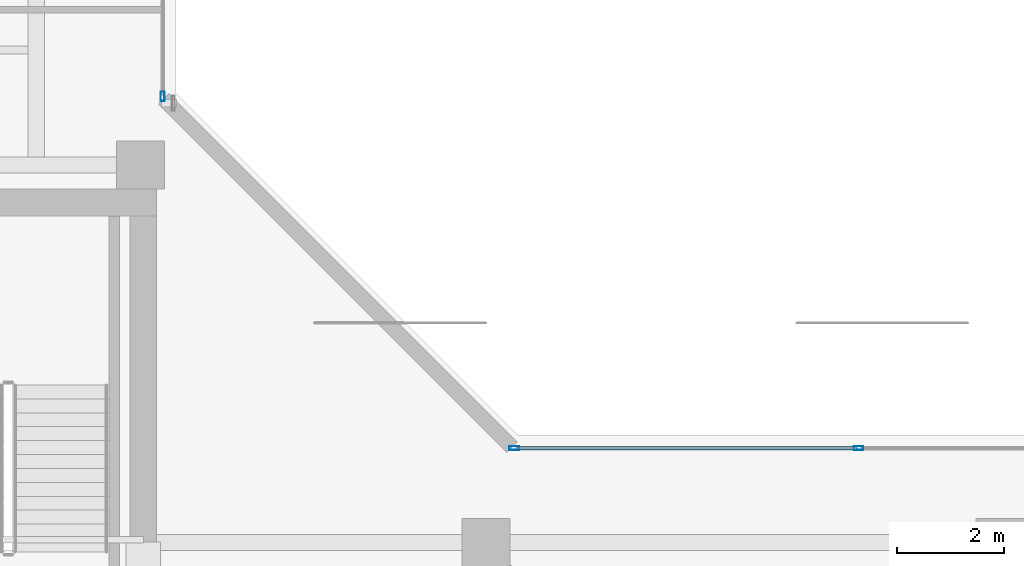
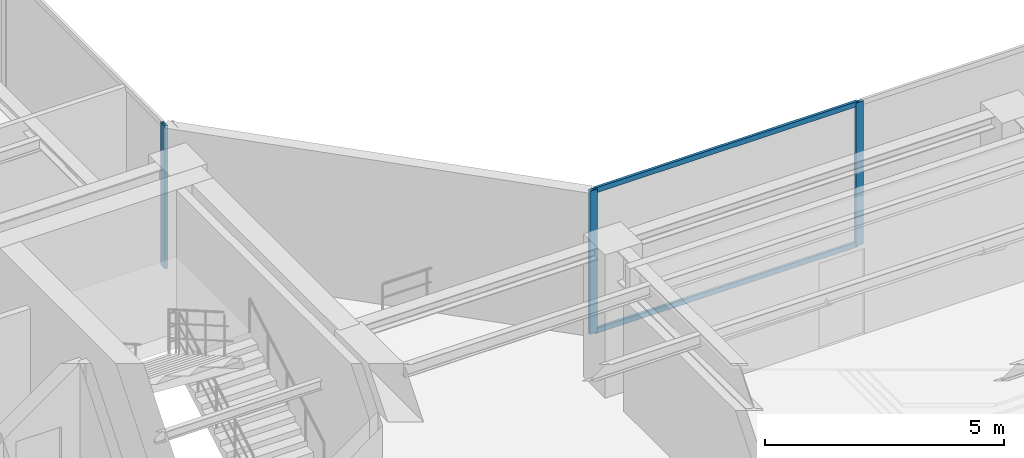
# One storey, part 13 of 31: 5 members, 2 elements without a shape of their own.
"""IFC4 building model written with IfcOpenShell, lengths in metres."""

import ifcopenshell
import ifcopenshell.guid

model = None  # the IFC model being written
_history = None  # IfcOwnerHistory: only IFC2X3 demands one
_inside = {}  # id of a spatial element -> (the spatial element, [elements in it])
_under = {}  # id of a project, library or spatial element -> (it, [spatial elements below it])
_declared = {}  # id of a project -> (the project, [libraries it declares])
_typed = {}  # id of a type object -> (the type object, [elements of that type])
_made_of = {}  # id of a material, layer set ... -> (it, [elements and type objects made of it])


def new_model(schema):
    """Start an empty IFC model of exactly this schema.

    Asked for "IFC4X3", IfcOpenShell would pick the latest addendum, in which some entities
    have other attributes; the version numbers below select the first issue.
    IFC2X3 requires an IfcOwnerHistory on every rooted entity: one is made here for all.
    """
    global model, _history
    if schema == "IFC4X3":
        model = ifcopenshell.file(schema_version=(4, 3, 0, 0))
    else:
        model = ifcopenshell.file(schema=schema)
    _inside.clear()
    _under.clear()
    _declared.clear()
    _typed.clear()
    _made_of.clear()
    _history = None
    if model.schema == "IFC2X3":
        org = make("IfcOrganization", Name="unknown")
        user = make(
            "IfcPersonAndOrganization",
            ThePerson=make("IfcPerson", FamilyName="unknown"),
            TheOrganization=org,
        )
        app = make(
            "IfcApplication",
            ApplicationDeveloper=org,
            Version="unknown",
            ApplicationFullName="unknown",
            ApplicationIdentifier="unknown",
        )
        _history = make(
            "IfcOwnerHistory",
            OwningUser=user,
            OwningApplication=app,
            ChangeAction="ADDED",
            CreationDate=0,
        )
    return model


def make(cls, **values):
    """One entity of the class cls with the attributes given. An attribute that is None is left unset."""
    return model.create_entity(
        cls, **{name: value for name, value in values.items() if value is not None}
    )


def rooted(cls, **values):
    """An entity with a GlobalId (a new one), such as an element, a storey or a relation."""
    return make(cls, GlobalId=ifcopenshell.guid.new(), OwnerHistory=_history, **values)


def si_unit(unit_type, name, prefix=None):
    """IfcSIUnit, for example si_unit("LENGTHUNIT", "METRE", prefix="MILLI")."""
    return make("IfcSIUnit", UnitType=unit_type, Prefix=prefix, Name=name)


def assignment(units):
    """IfcUnitAssignment: the units of a project."""
    return None if units is None else make("IfcUnitAssignment", Units=units)


def point(xyz):
    """IfcCartesianPoint."""
    return None if xyz is None else make("IfcCartesianPoint", Coordinates=xyz)


def direction(xyz):
    """IfcDirection."""
    return None if xyz is None else make("IfcDirection", DirectionRatios=xyz)


def frame(location, z_axis=None, x_axis=None):
    """IfcAxis2Placement3D, a coordinate frame: its origin and axes. An axis left out is left unset."""
    return make(
        "IfcAxis2Placement3D",
        Location=point(location),
        Axis=direction(z_axis),
        RefDirection=direction(x_axis),
    )


def frame_2d(location, x_axis=None):
    """IfcAxis2Placement2D, a coordinate frame in the plane: its origin and x axis."""
    return make(
        "IfcAxis2Placement2D", Location=point(location), RefDirection=direction(x_axis)
    )


def origin():
    """The frame at (0, 0, 0) with its axes left unset."""
    return frame((0.0, 0.0, 0.0))


def origin_with_axes():
    """The frame at (0, 0, 0) with the z axis (0, 0, 1) and the x axis (1, 0, 0) written out."""
    return frame((0.0, 0.0, 0.0), z_axis=(0.0, 0.0, 1.0), x_axis=(1.0, 0.0, 0.0))


def origin_2d():
    """The frame at (0, 0) in the plane with its x axis left unset."""
    return frame_2d((0.0, 0.0))


def place(relative_to, where):
    """IfcLocalPlacement: puts the frame where relative to a parent placement (None: the world)."""
    return make(
        "IfcLocalPlacement", PlacementRelTo=relative_to, RelativePlacement=where
    )


def context(
    kind, dimensions, precision=None, world=None, true_north=None, identifier=None
):
    """IfcGeometricRepresentationContext, for example the 3D "Model" context."""
    return make(
        "IfcGeometricRepresentationContext",
        ContextIdentifier=identifier,
        ContextType=kind,
        CoordinateSpaceDimension=dimensions,
        Precision=precision,
        WorldCoordinateSystem=world,
        TrueNorth=true_north,
    )


def subcontext(parent, identifier, kind, view, scale=None):
    """IfcGeometricRepresentationSubContext, for example "Body" below "Model"."""
    return make(
        "IfcGeometricRepresentationSubContext",
        ContextIdentifier=identifier,
        ContextType=kind,
        ParentContext=parent,
        TargetScale=scale,
        TargetView=view,
    )


def project(units=None, contexts=None):
    """IfcProject with its units and contexts."""
    return rooted(
        "IfcProject",
        Name="project",
        RepresentationContexts=contexts,
        UnitsInContext=assignment(units),
    )


def spatial(cls, under=None, at=None, **own):
    """A site, building, storey or space (cls), placed at a placement, below another one or the project."""
    s = rooted(cls, ObjectPlacement=at, **own)
    if under is not None:
        _under.setdefault(under.id(), (under, []))[1].append(s)
    return s


def profile(cls, at=None, kind="AREA", **sizes):
    """A parametric profile (cls). Its sizes go by their IFC names, for example OverallWidth=200.0."""
    return make(cls, ProfileType=kind, Position=at, **sizes)


def hollow_rectangle(**sizes):
    """IfcRectangleHollowProfileDef."""
    return profile("IfcRectangleHollowProfileDef", **sizes)


def extrude(swept, where, along, depth):
    """IfcExtrudedAreaSolid: the profile swept, set in the frame where, extruded along a direction by depth."""
    return make(
        "IfcExtrudedAreaSolid",
        SweptArea=swept,
        Position=where,
        ExtrudedDirection=direction(along),
        Depth=depth,
    )


def shape(context_of_items, identifier, shape_type, items):
    """IfcShapeRepresentation: the items that make up one representation, for example the "Body"."""
    return make(
        "IfcShapeRepresentation",
        ContextOfItems=context_of_items,
        RepresentationIdentifier=identifier,
        RepresentationType=shape_type,
        Items=items,
    )


def source(mapping_origin, context_of_items, identifier, shape_type, items):
    """IfcRepresentationMap: a shape defined once, which mapped items show again and again."""
    return make(
        "IfcRepresentationMap",
        MappingOrigin=mapping_origin,
        MappedRepresentation=shape(context_of_items, identifier, shape_type, items),
    )


def transform(
    local_origin,
    x_axis=None,
    y_axis=None,
    z_axis=None,
    scale=None,
    scale2=None,
    scale3=None,
    uniform=True,
):
    """IfcCartesianTransformationOperator3D, or its non-uniform kind. x_axis, y_axis, z_axis: its Axis1, 2, 3."""
    if uniform:
        return make(
            "IfcCartesianTransformationOperator3D",
            Axis1=direction(x_axis),
            Axis2=direction(y_axis),
            LocalOrigin=point(local_origin),
            Scale=scale,
            Axis3=direction(z_axis),
        )
    return make(
        "IfcCartesianTransformationOperator3DnonUniform",
        Axis1=direction(x_axis),
        Axis2=direction(y_axis),
        LocalOrigin=point(local_origin),
        Scale=scale,
        Axis3=direction(z_axis),
        Scale2=scale2,
        Scale3=scale3,
    )


def mapped(mapping_source, mapping_target):
    """IfcMappedItem: shows the shape of a source again, moved by a transform."""
    return make(
        "IfcMappedItem", MappingSource=mapping_source, MappingTarget=mapping_target
    )


def material(Name=None, Category=None):
    """IfcMaterial."""
    return make("IfcMaterial", Name=Name, Category=Category)


def layer(
    of_material, thickness, ventilated=None, Name=None, Category=None, Priority=None
):
    """IfcMaterialLayer: one layer of a wall or slab, of a material (None: an air gap)."""
    return make(
        "IfcMaterialLayer",
        Material=of_material,
        LayerThickness=thickness,
        IsVentilated=ventilated,
        Name=Name,
        Category=Category,
        Priority=Priority,
    )


def layer_set(layers, Name=None):
    """IfcMaterialLayerSet."""
    return make("IfcMaterialLayerSet", MaterialLayers=layers, LayerSetName=Name)


def material_profile(
    of_material, cross_section, Name=None, Category=None, Priority=None
):
    """IfcMaterialProfile: a cross section and its material."""
    return make(
        "IfcMaterialProfile",
        Name=Name,
        Material=of_material,
        Profile=cross_section,
        Priority=Priority,
        Category=Category,
    )


def profile_set(profiles, Name=None, composite=None):
    """IfcMaterialProfileSet."""
    return make(
        "IfcMaterialProfileSet",
        Name=Name,
        MaterialProfiles=profiles,
        CompositeProfile=composite,
    )


def made_of(thing, what):
    """Note that an element or type object is made of a material, layer set ...; save() writes the relation."""
    if what is not None:
        _made_of.setdefault(what.id(), (what, []))[1].append(thing)
    return thing


def type_object(cls, material=None, **own):
    """A type object (cls), such as IfcWallType, which elements share."""
    return made_of(rooted(cls, **own), material)


def element(
    cls,
    number,
    at=None,
    inside=None,
    cuts=None,
    type_object=None,
    material=None,
    context=None,
    identifier="Body",
    shape_type=None,
    held_by="IfcProductDefinitionShape",
    body=None,
    shapes=None,
    **own,
):
    """One element of the class cls, such as IfcWall. Its Tag is "e" and its number.

    at: its placement. inside: the storey or other place that contains it. cuts: it is an
    opening in that element (IfcRelVoidsElement). A single representation is given by context,
    identifier, shape_type and body (its items); several are given by shapes. held_by: the class
    of the entity that holds the representations. save() writes the other relations.
    """
    e = rooted(cls, Tag="e%d" % number, ObjectPlacement=at, **own)
    if body is not None:
        shapes = [shape(context, identifier, shape_type, body)]
    if shapes is not None:
        e.Representation = make(held_by, Representations=shapes)
    if inside is not None:
        _inside.setdefault(inside.id(), (inside, []))[1].append(e)
    if cuts is not None:
        rooted(
            "IfcRelVoidsElement", RelatingBuildingElement=cuts, RelatedOpeningElement=e
        )
    if type_object is not None:
        _typed.setdefault(type_object.id(), (type_object, []))[1].append(e)
    return made_of(e, material)


def aggregate(whole, parts):
    """IfcRelAggregates: a whole, such as a stair, and the parts it consists of."""
    return rooted("IfcRelAggregates", RelatingObject=whole, RelatedObjects=parts)


def save(model, path):
    """Write the relations noted so far, then the file.

    IfcRelAggregates (storeys below a building ...), IfcRelContainedInSpatialStructure (elements
    in a storey), IfcRelDefinesByType, IfcRelAssociatesMaterial and IfcRelDeclares: one each for
    every whole, place, type object, material and project.
    """
    for whole, parts in _under.values():
        aggregate(whole, parts)
    for where, things in _inside.values():
        rooted(
            "IfcRelContainedInSpatialStructure",
            RelatedElements=things,
            RelatingStructure=where,
        )
    for kind, things in _typed.values():
        rooted("IfcRelDefinesByType", RelatedObjects=things, RelatingType=kind)
    for what, things in _made_of.values():
        rooted("IfcRelAssociatesMaterial", RelatedObjects=things, RelatingMaterial=what)
    for by, libraries in _declared.values():
        rooted("IfcRelDeclares", RelatingContext=by, RelatedDefinitions=libraries)
    model.write(path)


model = new_model("IFC4")

# Units and contexts
model_context = context("Model", 3, precision=1e-05, world=origin(), true_north=direction((0.0, 1.0)))
body_context = subcontext(model_context, "Body", "Model", "MODEL_VIEW")
ifc_project = project(units=[si_unit("LENGTHUNIT", "METRE"), si_unit("AREAUNIT", "SQUARE_METRE"), si_unit("VOLUMEUNIT", "CUBIC_METRE"), si_unit("PLANEANGLEUNIT", "RADIAN"), si_unit("MASSUNIT", "GRAM", prefix="KILO")], contexts=[model_context])

# Site, building, storey
site_placement = place(None, origin())
site = spatial("IfcSite", under=ifc_project, at=site_placement, CompositionType="ELEMENT")
building_placement = place(site_placement, origin())
building = spatial("IfcBuilding", under=site, at=building_placement, Name="Kolvaren Waterfront Exchange", CompositionType="ELEMENT")
storey_placement = place(building_placement, frame((0.0, 0.0, 344.199951171875)))
storey = spatial("IfcBuildingStorey", under=building, at=storey_placement, Name="L88", CompositionType="ELEMENT", Elevation=344.199951171875)

# Curtain wall, member
ifc_material = material(Name="Anodised bronze aluminium 6063-T6", Category="aluminium")
ifc_layer = layer(ifc_material, 0.219970703125, Name="Anodised bronze aluminium 6063-T6")
ifc_layer_set = layer_set([ifc_layer], Name="Anodised bronze aluminium 6063-T6")
curtain_wall_type = type_object("IfcCurtainWallType", Name="ARC-CW-SYS5", PredefinedType="USERDEFINED", material=ifc_layer_set)
curtain_wall_1_placement = place(storey_placement, origin())
curtain_wall_1 = element("IfcCurtainWall", 1, at=curtain_wall_1_placement, inside=storey, type_object=curtain_wall_type, Name="L88 stick curtain wall CW5 (CW-L88-NE)", ObjectType="STICK CURTAIN WALL", PredefinedType="USERDEFINED")
ifc_material_profile_1 = material_profile(ifc_material, hollow_rectangle(XDim=0.074951171875, YDim=0.179931640625, WallThickness=0.00439453125, at=origin_2d()), Name="ALU-MUL-180x75x4.5")
ifc_profile_set_1 = profile_set([ifc_material_profile_1], Name="Anodised bronze aluminium 6063-T6")
member_type_1 = type_object("IfcMemberType", Name="ARC-CWM-180", PredefinedType="MULLION", material=ifc_profile_set_1)
shared_shape_1 = source(origin_with_axes(), body_context, "Body", "SweptSolid", [
    extrude(hollow_rectangle(XDim=0.074951171875, YDim=0.179931640625, WallThickness=0.00439453125, at=origin_2d()), origin(), (0.0, 0.0, 1.0), 3.66015625),
])
member_1_placement = place(storey_placement, frame((21.159912109375, 25.7275390625, 0.0), z_axis=(0.0, 0.0, 1.0), x_axis=(-1.0, 0.0, 0.0)))
member_1 = element("IfcMember", 2, at=member_1_placement, type_object=member_type_1, Name="CW5 mullion 1", PredefinedType="MULLION", context=body_context, shape_type="MappedRepresentation", body=[
    mapped(shared_shape_1, transform((0.0, 0.0, 0.0), x_axis=(1.0, 0.0, 0.0), y_axis=(0.0, 1.0, 0.0), z_axis=(0.0, 0.0, 1.0), scale=1.0)),
])
aggregate(curtain_wall_1, [member_1])

# Curtain wall, members
curtain_wall_2_placement = place(storey_placement, origin())
curtain_wall_2 = element("IfcCurtainWall", 3, at=curtain_wall_2_placement, inside=storey, type_object=curtain_wall_type, Name="L88 stick curtain wall CW5 (CW-L88-EN)", ObjectType="STICK CURTAIN WALL", PredefinedType="USERDEFINED")
member_2_placement = place(storey_placement, frame((27.7275390625, 19.159912109375, 0.0), z_axis=(0.0, 0.0, 1.0), x_axis=(0.0, 1.0, 0.0)))
member_2 = element("IfcMember", 4, at=member_2_placement, type_object=member_type_1, Name="CW5 mullion 1", PredefinedType="MULLION", context=body_context, shape_type="MappedRepresentation", body=[
    mapped(shared_shape_1, transform((0.0, 0.0, 0.0), x_axis=(1.0, 0.0, 0.0), y_axis=(0.0, 1.0, 0.0), z_axis=(0.0, 0.0, 1.0), scale=1.0)),
])
member_3_placement = place(storey_placement, frame((34.159912109375, 19.159912109375, 0.0), z_axis=(0.0, 0.0, 1.0), x_axis=(0.0, 1.0, 0.0)))
member_3 = element("IfcMember", 5, at=member_3_placement, type_object=member_type_1, Name="CW5 mullion 2", PredefinedType="MULLION", context=body_context, shape_type="MappedRepresentation", body=[
    mapped(shared_shape_1, transform((0.0, 0.0, 0.0), x_axis=(1.0, 0.0, 0.0), y_axis=(0.0, 1.0, 0.0), z_axis=(0.0, 0.0, 1.0), scale=1.0)),
])
ifc_material_profile_2 = material_profile(ifc_material, hollow_rectangle(XDim=0.06494140625, YDim=0.1298828125, WallThickness=0.00390625, at=origin_2d()), Name="ALU-TRN-130x65x4")
ifc_profile_set_2 = profile_set([ifc_material_profile_2], Name="Anodised bronze aluminium 6063-T6")
member_type_2 = type_object("IfcMemberType", Name="ARC-CWT-130", PredefinedType="USERDEFINED", material=ifc_profile_set_2)
shared_shape_2 = source(origin_with_axes(), body_context, "Body", "SweptSolid", [
    extrude(hollow_rectangle(XDim=0.06494140625, YDim=0.1298828125, WallThickness=0.00390625, at=origin_2d()), origin(), (0.0, 0.0, 1.0), 6.357666015625),
])
member_4_placement = place(storey_placement, frame((27.764892578125, 19.159912109375, 0.032470703125), z_axis=(1.0, 0.0, 0.0), x_axis=(0.0, 1.0, 0.0)))
member_4 = element("IfcMember", 6, at=member_4_placement, type_object=member_type_2, Name="CW5 transom 1.1", ObjectType="TRANSOM", PredefinedType="USERDEFINED", context=body_context, shape_type="MappedRepresentation", body=[
    mapped(shared_shape_2, transform((0.0, 0.0, 0.0), x_axis=(1.0, 0.0, 0.0), y_axis=(0.0, 1.0, 0.0), z_axis=(0.0, 0.0, 1.0), scale=1.0)),
])
member_5_placement = place(storey_placement, frame((27.764892578125, 19.159912109375, 3.62744140625), z_axis=(1.0, 0.0, 0.0), x_axis=(0.0, 1.0, 0.0)))
member_5 = element("IfcMember", 7, at=member_5_placement, type_object=member_type_2, Name="CW5 transom 1.2", ObjectType="TRANSOM", PredefinedType="USERDEFINED", context=body_context, shape_type="MappedRepresentation", body=[
    mapped(shared_shape_2, transform((0.0, 0.0, 0.0), x_axis=(1.0, 0.0, 0.0), y_axis=(0.0, 1.0, 0.0), z_axis=(0.0, 0.0, 1.0), scale=1.0)),
])
aggregate(curtain_wall_2, [member_2, member_3, member_4, member_5])

save(model, "model.ifc")
